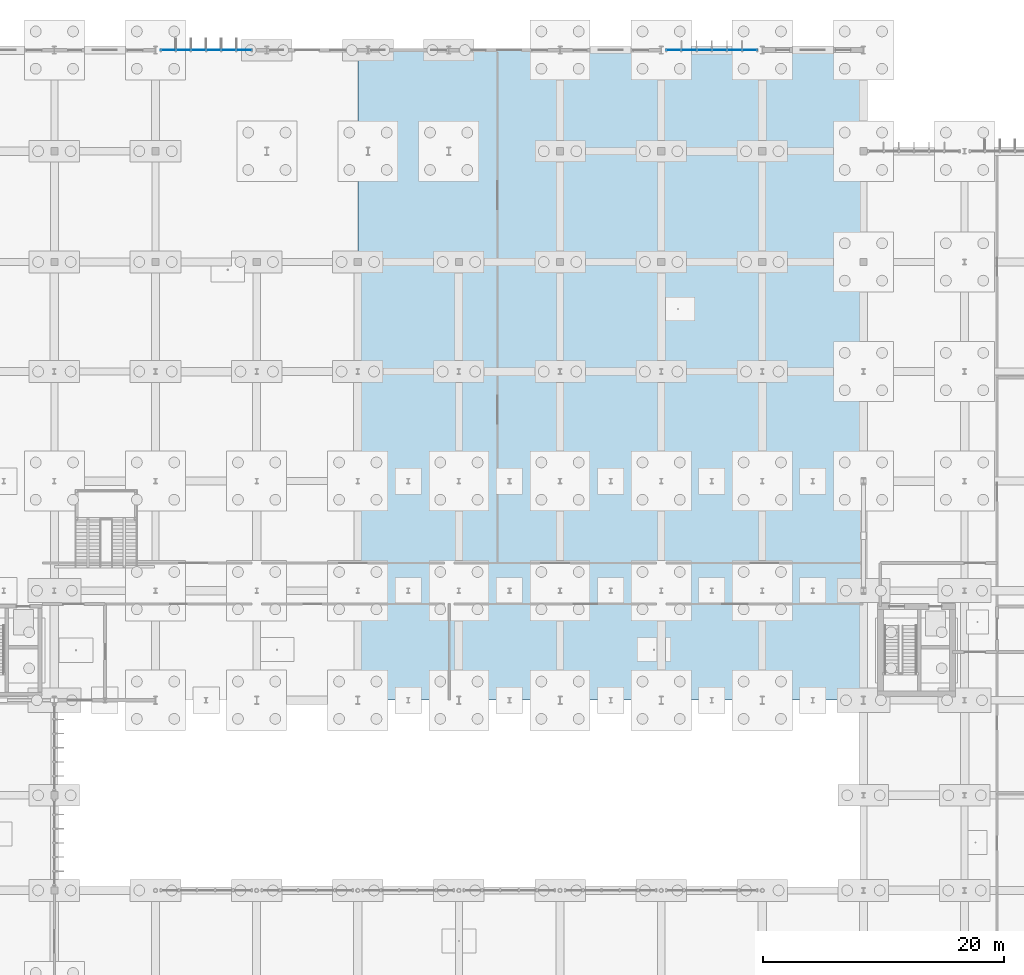
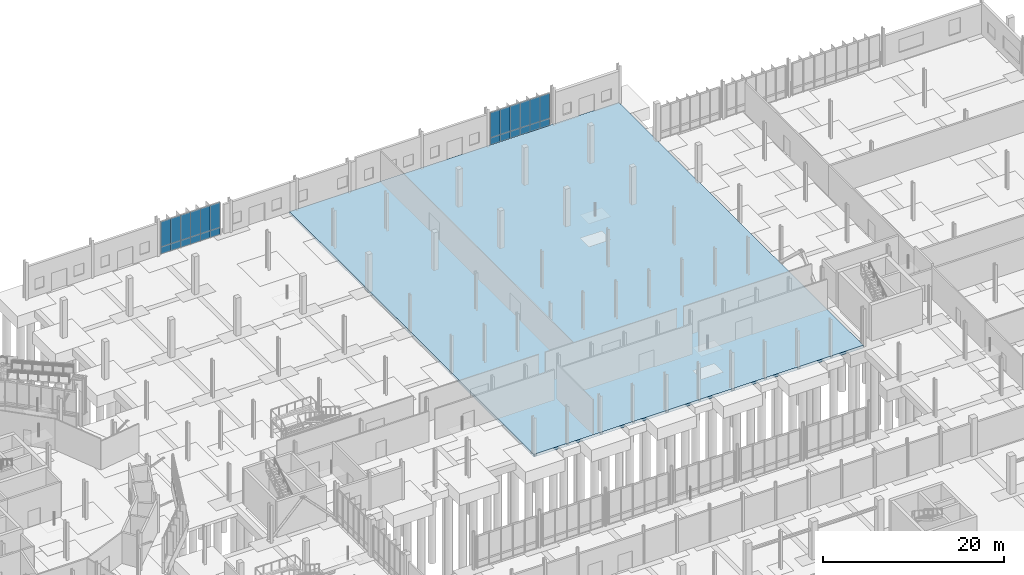
# One storey, part 71 of 119: 24 plates, 1 slab, 2 elements without a shape of their own.
"""IFC4 building model written with IfcOpenShell, lengths in metres."""

from ifc_helpers import new_model, si_unit, derived_unit, direction, frame, origin, origin_2d, place, context, subcontext, project, spatial, polyline, rectangle, outline, extrude, material, layer, layer_set, type_object, element, aggregate, save


model = new_model("IFC4")

# Units and contexts
model_context = context("Model", 3, precision=1e-05, world=origin(), true_north=direction((0.0, 1.0)))
body_context = subcontext(model_context, "Body", "Model", "MODEL_VIEW")
ifc_project = project(units=[si_unit("LENGTHUNIT", "METRE"), si_unit("AREAUNIT", "SQUARE_METRE"), si_unit("VOLUMEUNIT", "CUBIC_METRE"), si_unit("PLANEANGLEUNIT", "RADIAN"), si_unit("MASSUNIT", "GRAM", prefix="KILO"), derived_unit("THERMALTRANSMITTANCEUNIT", [(si_unit("MASSUNIT", "GRAM", prefix="KILO"), 1), (si_unit("TIMEUNIT", "SECOND"), -3), (si_unit("THERMODYNAMICTEMPERATUREUNIT", "KELVIN"), -1)])], contexts=[model_context])

# Site, building, storey
site_placement = place(None, origin())
site = spatial("IfcSite", under=ifc_project, at=site_placement, CompositionType="ELEMENT")
building_placement = place(site_placement, origin())
building = spatial("IfcBuilding", under=site, at=building_placement, Name="Makaiwela Harbour Ferry Terminal", CompositionType="ELEMENT")
storey_placement = place(building_placement, origin())
storey = spatial("IfcBuildingStorey", under=building, at=storey_placement, Name="L00", CompositionType="ELEMENT", Elevation=0.0)

# Curtain wall, plates
ifc_material_1 = material(Name="Marine anodised aluminium 6063-T6", Category="aluminium")
ifc_layer_1 = layer(ifc_material_1, 0.199951171875)
ifc_layer_set_1 = layer_set([ifc_layer_1], Name="Marine anodised aluminium 6063-T6")
curtain_wall_type = type_object("IfcCurtainWallType", Name="ENV-CW-10", PredefinedType="USERDEFINED", material=ifc_layer_set_1)
curtain_wall_1_placement = place(storey_placement, origin())
curtain_wall_1 = element("IfcCurtainWall", 1, at=curtain_wall_1_placement, inside=storey, type_object=curtain_wall_type, Name="Unitised Curtain Wall CWA-076", ObjectType="UNITIZED CURTAIN WALL", PredefinedType="USERDEFINED")
ifc_material_2 = material(Name="Laminated hurricane-impact low-E insulated glazing", Category="glass")
ifc_layer_2 = layer(ifc_material_2, 0.031982421875)
ifc_layer_set_2 = layer_set([ifc_layer_2], Name="Laminated hurricane-impact low-E insulated glazing")
plate_type_1 = type_object("IfcPlateType", Name="CW-PNL-G14", PredefinedType="CURTAIN_PANEL", material=ifc_layer_set_2)
plate_1_placement = place(storey_placement, frame((80.85009765625, 103.39990234375, 0.949951171875), z_axis=(0.0, 0.0, 1.0), x_axis=(1.0, 0.0, 0.0)))
plate_1 = element("IfcPlate", 2, at=plate_1_placement, type_object=plate_type_1, Name="Glazed Vision Panel CWA-076-1G", PredefinedType="CURTAIN_PANEL", context=body_context, shape_type="SweptSolid", body=[
    extrude(rectangle(XDim=1.260009765625, YDim=0.031982421875, at=origin_2d()), origin(), (0.0, 0.0, 1.0), 3.39990234375),
])
plate_2_placement = place(storey_placement, frame((82.110107421875, 103.39990234375, 0.949951171875), z_axis=(0.0, 0.0, 1.0), x_axis=(1.0, 0.0, 0.0)))
plate_2 = element("IfcPlate", 3, at=plate_2_placement, type_object=plate_type_1, Name="Glazed Vision Panel CWA-076-2G", PredefinedType="CURTAIN_PANEL", context=body_context, shape_type="SweptSolid", body=[
    extrude(rectangle(XDim=1.260009765625, YDim=0.031982421875, at=origin_2d()), origin(), (0.0, 0.0, 1.0), 3.39990234375),
])
plate_3_placement = place(storey_placement, frame((83.3701171875, 103.39990234375, 0.949951171875), z_axis=(0.0, 0.0, 1.0), x_axis=(1.0, 0.0, 0.0)))
plate_3 = element("IfcPlate", 4, at=plate_3_placement, type_object=plate_type_1, Name="Glazed Vision Panel CWA-076-3G", PredefinedType="CURTAIN_PANEL", context=body_context, shape_type="SweptSolid", body=[
    extrude(rectangle(XDim=1.260009765625, YDim=0.031982421875, at=origin_2d()), origin(), (0.0, 0.0, 1.0), 3.39990234375),
])
plate_4_placement = place(storey_placement, frame((84.6298828125, 103.39990234375, 0.949951171875), z_axis=(0.0, 0.0, 1.0), x_axis=(1.0, 0.0, 0.0)))
plate_4 = element("IfcPlate", 5, at=plate_4_placement, type_object=plate_type_1, Name="Glazed Vision Panel CWA-076-4G", PredefinedType="CURTAIN_PANEL", context=body_context, shape_type="SweptSolid", body=[
    extrude(rectangle(XDim=1.260009765625, YDim=0.031982421875, at=origin_2d()), origin(), (0.0, 0.0, 1.0), 3.39990234375),
])
plate_5_placement = place(storey_placement, frame((85.889892578125, 103.39990234375, 0.949951171875), z_axis=(0.0, 0.0, 1.0), x_axis=(1.0, 0.0, 0.0)))
plate_5 = element("IfcPlate", 6, at=plate_5_placement, type_object=plate_type_1, Name="Glazed Vision Panel CWA-076-5G", PredefinedType="CURTAIN_PANEL", context=body_context, shape_type="SweptSolid", body=[
    extrude(rectangle(XDim=1.260009765625, YDim=0.031982421875, at=origin_2d()), origin(), (0.0, 0.0, 1.0), 3.39990234375),
])
plate_6_placement = place(storey_placement, frame((87.14990234375, 103.39990234375, 0.949951171875), z_axis=(0.0, 0.0, 1.0), x_axis=(1.0, 0.0, 0.0)))
plate_6 = element("IfcPlate", 7, at=plate_6_placement, type_object=plate_type_1, Name="Glazed Vision Panel CWA-076-6G", PredefinedType="CURTAIN_PANEL", context=body_context, shape_type="SweptSolid", body=[
    extrude(rectangle(XDim=1.260009765625, YDim=0.031982421875, at=origin_2d()), origin(), (0.0, 0.0, 1.0), 3.39990234375),
])

curtain_wall_2_placement = place(storey_placement, origin())
curtain_wall_2 = element("IfcCurtainWall", 8, at=curtain_wall_2_placement, inside=storey, type_object=curtain_wall_type, Name="Unitised Curtain Wall CWA-090", ObjectType="UNITIZED CURTAIN WALL", PredefinedType="USERDEFINED")
plate_7_placement = place(storey_placement, frame((122.85009765625, 103.39990234375, 0.949951171875), z_axis=(0.0, 0.0, 1.0), x_axis=(1.0, 0.0, 0.0)))
plate_7 = element("IfcPlate", 9, at=plate_7_placement, type_object=plate_type_1, Name="Glazed Vision Panel CWA-090-1G", PredefinedType="CURTAIN_PANEL", context=body_context, shape_type="SweptSolid", body=[
    extrude(rectangle(XDim=1.260009765625, YDim=0.031982421875, at=origin_2d()), origin(), (0.0, 0.0, 1.0), 3.39990234375),
])
plate_8_placement = place(storey_placement, frame((124.110107421875, 103.39990234375, 0.949951171875), z_axis=(0.0, 0.0, 1.0), x_axis=(1.0, 0.0, 0.0)))
plate_8 = element("IfcPlate", 10, at=plate_8_placement, type_object=plate_type_1, Name="Glazed Vision Panel CWA-090-2G", PredefinedType="CURTAIN_PANEL", context=body_context, shape_type="SweptSolid", body=[
    extrude(rectangle(XDim=1.260009765625, YDim=0.031982421875, at=origin_2d()), origin(), (0.0, 0.0, 1.0), 3.39990234375),
])
plate_9_placement = place(storey_placement, frame((125.3701171875, 103.39990234375, 0.949951171875), z_axis=(0.0, 0.0, 1.0), x_axis=(1.0, 0.0, 0.0)))
plate_9 = element("IfcPlate", 11, at=plate_9_placement, type_object=plate_type_1, Name="Glazed Vision Panel CWA-090-3G", PredefinedType="CURTAIN_PANEL", context=body_context, shape_type="SweptSolid", body=[
    extrude(rectangle(XDim=1.260009765625, YDim=0.031982421875, at=origin_2d()), origin(), (0.0, 0.0, 1.0), 3.39990234375),
])
plate_10_placement = place(storey_placement, frame((126.6298828125, 103.39990234375, 0.949951171875), z_axis=(0.0, 0.0, 1.0), x_axis=(1.0, 0.0, 0.0)))
plate_10 = element("IfcPlate", 12, at=plate_10_placement, type_object=plate_type_1, Name="Glazed Vision Panel CWA-090-4G", PredefinedType="CURTAIN_PANEL", context=body_context, shape_type="SweptSolid", body=[
    extrude(rectangle(XDim=1.260009765625, YDim=0.031982421875, at=origin_2d()), origin(), (0.0, 0.0, 1.0), 3.39990234375),
])
plate_11_placement = place(storey_placement, frame((127.889892578125, 103.39990234375, 0.949951171875), z_axis=(0.0, 0.0, 1.0), x_axis=(1.0, 0.0, 0.0)))
plate_11 = element("IfcPlate", 13, at=plate_11_placement, type_object=plate_type_1, Name="Glazed Vision Panel CWA-090-5G", PredefinedType="CURTAIN_PANEL", context=body_context, shape_type="SweptSolid", body=[
    extrude(rectangle(XDim=1.260009765625, YDim=0.031982421875, at=origin_2d()), origin(), (0.0, 0.0, 1.0), 3.39990234375),
])
plate_12_placement = place(storey_placement, frame((129.14990234375, 103.39990234375, 0.949951171875), z_axis=(0.0, 0.0, 1.0), x_axis=(1.0, 0.0, 0.0)))
plate_12 = element("IfcPlate", 14, at=plate_12_placement, type_object=plate_type_1, Name="Glazed Vision Panel CWA-090-6G", PredefinedType="CURTAIN_PANEL", context=body_context, shape_type="SweptSolid", body=[
    extrude(rectangle(XDim=1.260009765625, YDim=0.031982421875, at=origin_2d()), origin(), (0.0, 0.0, 1.0), 3.39990234375),
])

# Plate
ifc_material_3 = material(Name="Insulated marine aluminium spandrel panel", Category="aluminium")
ifc_layer_3 = layer(ifc_material_3, 0.048095703125)
ifc_layer_set_3 = layer_set([ifc_layer_3], Name="Insulated marine aluminium spandrel panel")
plate_type_2 = type_object("IfcPlateType", Name="CW-PNL-S11", PredefinedType="CURTAIN_PANEL", material=ifc_layer_set_3)
plate_13_placement = place(storey_placement, frame((80.85009765625, 103.39990234375, 0.0), z_axis=(0.0, 0.0, 1.0), x_axis=(1.0, 0.0, 0.0)))
plate_13 = element("IfcPlate", 15, at=plate_13_placement, type_object=plate_type_2, Name="Spandrel Panel CWA-076-1S", PredefinedType="CURTAIN_PANEL", context=body_context, shape_type="SweptSolid", body=[
    extrude(rectangle(XDim=1.260009765625, YDim=0.048095703125, at=origin_2d()), origin(), (0.0, 0.0, 1.0), 0.949951171875),
])

plate_14_placement = place(storey_placement, frame((82.110107421875, 103.39990234375, 0.0), z_axis=(0.0, 0.0, 1.0), x_axis=(1.0, 0.0, 0.0)))
plate_14 = element("IfcPlate", 16, at=plate_14_placement, type_object=plate_type_2, Name="Spandrel Panel CWA-076-2S", PredefinedType="CURTAIN_PANEL", context=body_context, shape_type="SweptSolid", body=[
    extrude(rectangle(XDim=1.260009765625, YDim=0.048095703125, at=origin_2d()), origin(), (0.0, 0.0, 1.0), 0.949951171875),
])

plate_15_placement = place(storey_placement, frame((83.3701171875, 103.39990234375, 0.0), z_axis=(0.0, 0.0, 1.0), x_axis=(1.0, 0.0, 0.0)))
plate_15 = element("IfcPlate", 17, at=plate_15_placement, type_object=plate_type_2, Name="Spandrel Panel CWA-076-3S", PredefinedType="CURTAIN_PANEL", context=body_context, shape_type="SweptSolid", body=[
    extrude(rectangle(XDim=1.260009765625, YDim=0.048095703125, at=origin_2d()), origin(), (0.0, 0.0, 1.0), 0.949951171875),
])

plate_16_placement = place(storey_placement, frame((84.6298828125, 103.39990234375, 0.0), z_axis=(0.0, 0.0, 1.0), x_axis=(1.0, 0.0, 0.0)))
plate_16 = element("IfcPlate", 18, at=plate_16_placement, type_object=plate_type_2, Name="Spandrel Panel CWA-076-4S", PredefinedType="CURTAIN_PANEL", context=body_context, shape_type="SweptSolid", body=[
    extrude(rectangle(XDim=1.260009765625, YDim=0.048095703125, at=origin_2d()), origin(), (0.0, 0.0, 1.0), 0.949951171875),
])

plate_17_placement = place(storey_placement, frame((85.889892578125, 103.39990234375, 0.0), z_axis=(0.0, 0.0, 1.0), x_axis=(1.0, 0.0, 0.0)))
plate_17 = element("IfcPlate", 19, at=plate_17_placement, type_object=plate_type_2, Name="Spandrel Panel CWA-076-5S", PredefinedType="CURTAIN_PANEL", context=body_context, shape_type="SweptSolid", body=[
    extrude(rectangle(XDim=1.260009765625, YDim=0.048095703125, at=origin_2d()), origin(), (0.0, 0.0, 1.0), 0.949951171875),
])

plate_18_placement = place(storey_placement, frame((87.14990234375, 103.39990234375, 0.0), z_axis=(0.0, 0.0, 1.0), x_axis=(1.0, 0.0, 0.0)))
plate_18 = element("IfcPlate", 20, at=plate_18_placement, type_object=plate_type_2, Name="Spandrel Panel CWA-076-6S", PredefinedType="CURTAIN_PANEL", context=body_context, shape_type="SweptSolid", body=[
    extrude(rectangle(XDim=1.260009765625, YDim=0.048095703125, at=origin_2d()), origin(), (0.0, 0.0, 1.0), 0.949951171875),
])

aggregate(curtain_wall_1, [plate_13, plate_1, plate_14, plate_2, plate_15, plate_3, plate_16, plate_4, plate_17, plate_5, plate_18, plate_6])

plate_19_placement = place(storey_placement, frame((122.85009765625, 103.39990234375, 0.0), z_axis=(0.0, 0.0, 1.0), x_axis=(1.0, 0.0, 0.0)))
plate_19 = element("IfcPlate", 21, at=plate_19_placement, type_object=plate_type_2, Name="Spandrel Panel CWA-090-1S", PredefinedType="CURTAIN_PANEL", context=body_context, shape_type="SweptSolid", body=[
    extrude(rectangle(XDim=1.260009765625, YDim=0.048095703125, at=origin_2d()), origin(), (0.0, 0.0, 1.0), 0.949951171875),
])

plate_20_placement = place(storey_placement, frame((124.110107421875, 103.39990234375, 0.0), z_axis=(0.0, 0.0, 1.0), x_axis=(1.0, 0.0, 0.0)))
plate_20 = element("IfcPlate", 22, at=plate_20_placement, type_object=plate_type_2, Name="Spandrel Panel CWA-090-2S", PredefinedType="CURTAIN_PANEL", context=body_context, shape_type="SweptSolid", body=[
    extrude(rectangle(XDim=1.260009765625, YDim=0.048095703125, at=origin_2d()), origin(), (0.0, 0.0, 1.0), 0.949951171875),
])

plate_21_placement = place(storey_placement, frame((125.3701171875, 103.39990234375, 0.0), z_axis=(0.0, 0.0, 1.0), x_axis=(1.0, 0.0, 0.0)))
plate_21 = element("IfcPlate", 23, at=plate_21_placement, type_object=plate_type_2, Name="Spandrel Panel CWA-090-3S", PredefinedType="CURTAIN_PANEL", context=body_context, shape_type="SweptSolid", body=[
    extrude(rectangle(XDim=1.260009765625, YDim=0.048095703125, at=origin_2d()), origin(), (0.0, 0.0, 1.0), 0.949951171875),
])

plate_22_placement = place(storey_placement, frame((126.6298828125, 103.39990234375, 0.0), z_axis=(0.0, 0.0, 1.0), x_axis=(1.0, 0.0, 0.0)))
plate_22 = element("IfcPlate", 24, at=plate_22_placement, type_object=plate_type_2, Name="Spandrel Panel CWA-090-4S", PredefinedType="CURTAIN_PANEL", context=body_context, shape_type="SweptSolid", body=[
    extrude(rectangle(XDim=1.260009765625, YDim=0.048095703125, at=origin_2d()), origin(), (0.0, 0.0, 1.0), 0.949951171875),
])

plate_23_placement = place(storey_placement, frame((127.889892578125, 103.39990234375, 0.0), z_axis=(0.0, 0.0, 1.0), x_axis=(1.0, 0.0, 0.0)))
plate_23 = element("IfcPlate", 25, at=plate_23_placement, type_object=plate_type_2, Name="Spandrel Panel CWA-090-5S", PredefinedType="CURTAIN_PANEL", context=body_context, shape_type="SweptSolid", body=[
    extrude(rectangle(XDim=1.260009765625, YDim=0.048095703125, at=origin_2d()), origin(), (0.0, 0.0, 1.0), 0.949951171875),
])

plate_24_placement = place(storey_placement, frame((129.14990234375, 103.39990234375, 0.0), z_axis=(0.0, 0.0, 1.0), x_axis=(1.0, 0.0, 0.0)))
plate_24 = element("IfcPlate", 26, at=plate_24_placement, type_object=plate_type_2, Name="Spandrel Panel CWA-090-6S", PredefinedType="CURTAIN_PANEL", context=body_context, shape_type="SweptSolid", body=[
    extrude(rectangle(XDim=1.260009765625, YDim=0.048095703125, at=origin_2d()), origin(), (0.0, 0.0, 1.0), 0.949951171875),
])

aggregate(curtain_wall_2, [plate_19, plate_7, plate_20, plate_8, plate_21, plate_9, plate_22, plate_10, plate_23, plate_11, plate_24, plate_12])

# Slab
ifc_material_4 = material(Name="Concrete f'c 35 MPa (5000 psi)", Category="concrete")
ifc_layer_4 = layer(ifc_material_4, 0.360107421875)
ifc_layer_set_4 = layer_set([ifc_layer_4], Name="Concrete f'c 35 MPa (5000 psi)")
slab_type = type_object("IfcSlabType", Name="SLB-BASE-360", PredefinedType="BASESLAB", material=ifc_layer_set_4)
slab_placement = place(storey_placement, frame((0.0, 0.0, -0.360107421875)))
element("IfcSlab", 27, at=slab_placement, inside=storey, type_object=slab_type, Name="Slab SLB-006", PredefinedType="BASESLAB", context=body_context, shape_type="SweptSolid", body=[
    extrude(outline(polyline([(96.60205078125, 103.39990234375), (96.60205078125, 49.39990234375), (138.60009765625, 49.39990234375), (138.60009765625, 103.39990234375), (96.60205078125, 103.39990234375)])), origin(), (0.0, 0.0, 1.0), 0.360107421875),
])

save(model, "model.ifc")
